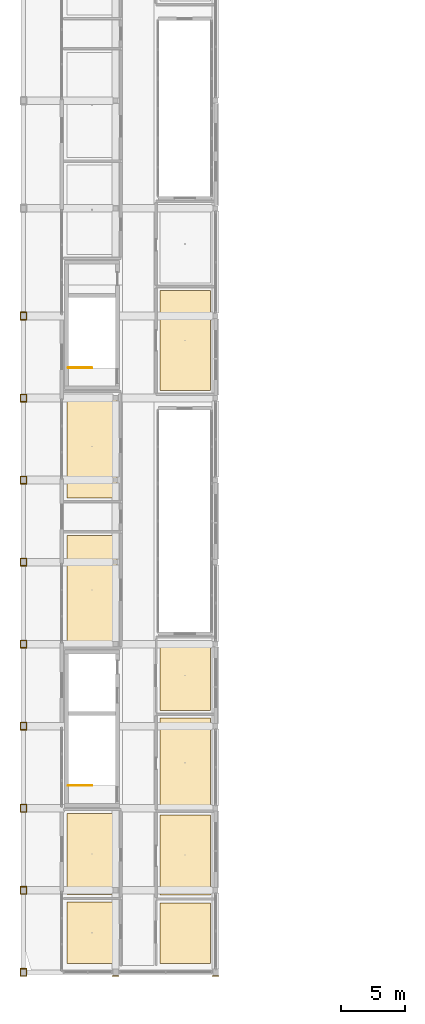
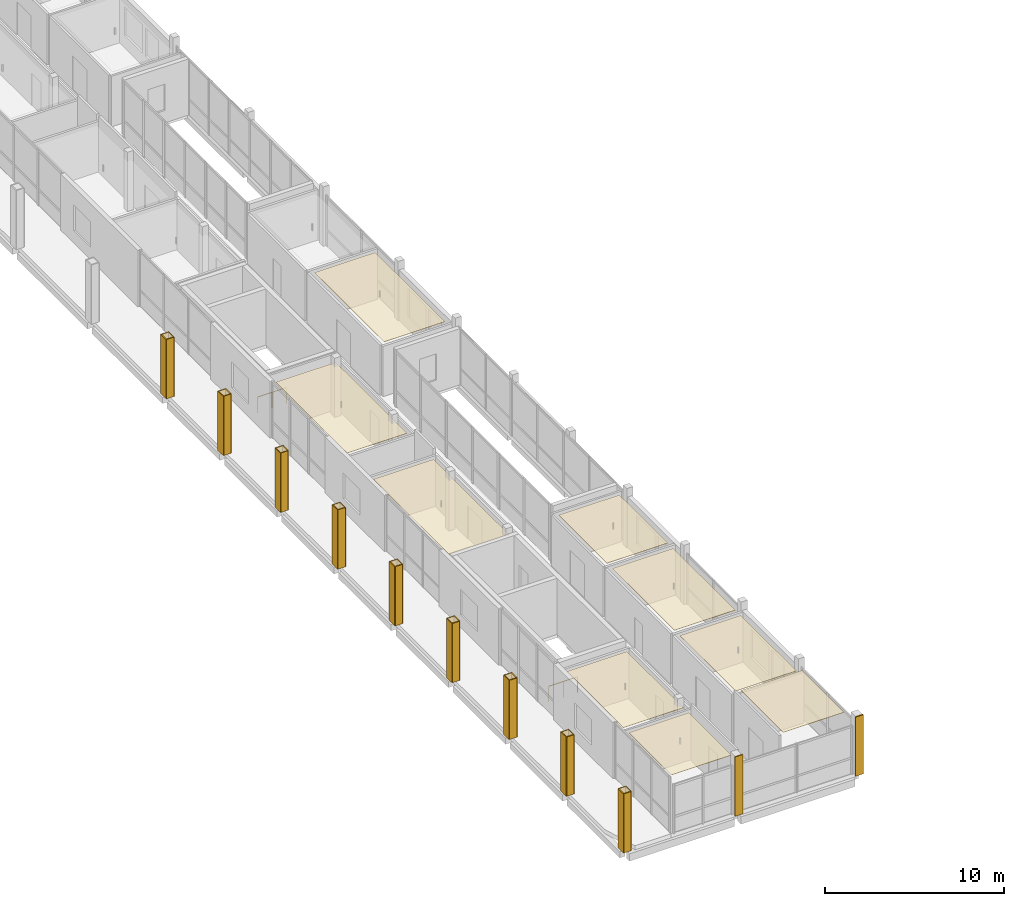
# One storey, part 21 of 24: 47 coverings, 2 railings.
"""IFC4 building model written with IfcOpenShell, lengths in metres."""

import ifcopenshell
import ifcopenshell.guid

model = None  # the IFC model being written
_history = None  # IfcOwnerHistory: only IFC2X3 demands one
_inside = {}  # id of a spatial element -> (the spatial element, [elements in it])
_under = {}  # id of a project, library or spatial element -> (it, [spatial elements below it])
_declared = {}  # id of a project -> (the project, [libraries it declares])
_typed = {}  # id of a type object -> (the type object, [elements of that type])
_made_of = {}  # id of a material, layer set ... -> (it, [elements and type objects made of it])


def new_model(schema):
    """Start an empty IFC model of exactly this schema.

    Asked for "IFC4X3", IfcOpenShell would pick the latest addendum, in which some entities
    have other attributes; the version numbers below select the first issue.
    IFC2X3 requires an IfcOwnerHistory on every rooted entity: one is made here for all.
    """
    global model, _history
    if schema == "IFC4X3":
        model = ifcopenshell.file(schema_version=(4, 3, 0, 0))
    else:
        model = ifcopenshell.file(schema=schema)
    _inside.clear()
    _under.clear()
    _declared.clear()
    _typed.clear()
    _made_of.clear()
    _history = None
    if model.schema == "IFC2X3":
        org = make("IfcOrganization", Name="unknown")
        user = make(
            "IfcPersonAndOrganization",
            ThePerson=make("IfcPerson", FamilyName="unknown"),
            TheOrganization=org,
        )
        app = make(
            "IfcApplication",
            ApplicationDeveloper=org,
            Version="unknown",
            ApplicationFullName="unknown",
            ApplicationIdentifier="unknown",
        )
        _history = make(
            "IfcOwnerHistory",
            OwningUser=user,
            OwningApplication=app,
            ChangeAction="ADDED",
            CreationDate=0,
        )
    return model


def make(cls, **values):
    """One entity of the class cls with the attributes given. An attribute that is None is left unset."""
    return model.create_entity(
        cls, **{name: value for name, value in values.items() if value is not None}
    )


def rooted(cls, **values):
    """An entity with a GlobalId (a new one), such as an element, a storey or a relation."""
    return make(cls, GlobalId=ifcopenshell.guid.new(), OwnerHistory=_history, **values)


def si_unit(unit_type, name, prefix=None):
    """IfcSIUnit, for example si_unit("LENGTHUNIT", "METRE", prefix="MILLI")."""
    return make("IfcSIUnit", UnitType=unit_type, Prefix=prefix, Name=name)


def derived_unit(unit_type, elements):
    """IfcDerivedUnit: a product of units, each with its exponent."""
    return make(
        "IfcDerivedUnit",
        Elements=[
            make("IfcDerivedUnitElement", Unit=unit, Exponent=power)
            for unit, power in elements
        ],
        UnitType=unit_type,
    )


def assignment(units):
    """IfcUnitAssignment: the units of a project."""
    return None if units is None else make("IfcUnitAssignment", Units=units)


def point(xyz):
    """IfcCartesianPoint."""
    return None if xyz is None else make("IfcCartesianPoint", Coordinates=xyz)


def direction(xyz):
    """IfcDirection."""
    return None if xyz is None else make("IfcDirection", DirectionRatios=xyz)


def frame(location, z_axis=None, x_axis=None):
    """IfcAxis2Placement3D, a coordinate frame: its origin and axes. An axis left out is left unset."""
    return make(
        "IfcAxis2Placement3D",
        Location=point(location),
        Axis=direction(z_axis),
        RefDirection=direction(x_axis),
    )


def frame_2d(location, x_axis=None):
    """IfcAxis2Placement2D, a coordinate frame in the plane: its origin and x axis."""
    return make(
        "IfcAxis2Placement2D", Location=point(location), RefDirection=direction(x_axis)
    )


def origin():
    """The frame at (0, 0, 0) with its axes left unset."""
    return frame((0.0, 0.0, 0.0))


def origin_2d():
    """The frame at (0, 0) in the plane with its x axis left unset."""
    return frame_2d((0.0, 0.0))


def place(relative_to, where):
    """IfcLocalPlacement: puts the frame where relative to a parent placement (None: the world)."""
    return make(
        "IfcLocalPlacement", PlacementRelTo=relative_to, RelativePlacement=where
    )


def context(
    kind, dimensions, precision=None, world=None, true_north=None, identifier=None
):
    """IfcGeometricRepresentationContext, for example the 3D "Model" context."""
    return make(
        "IfcGeometricRepresentationContext",
        ContextIdentifier=identifier,
        ContextType=kind,
        CoordinateSpaceDimension=dimensions,
        Precision=precision,
        WorldCoordinateSystem=world,
        TrueNorth=true_north,
    )


def subcontext(parent, identifier, kind, view, scale=None):
    """IfcGeometricRepresentationSubContext, for example "Body" below "Model"."""
    return make(
        "IfcGeometricRepresentationSubContext",
        ContextIdentifier=identifier,
        ContextType=kind,
        ParentContext=parent,
        TargetScale=scale,
        TargetView=view,
    )


def project(units=None, contexts=None):
    """IfcProject with its units and contexts."""
    return rooted(
        "IfcProject",
        Name="project",
        RepresentationContexts=contexts,
        UnitsInContext=assignment(units),
    )


def spatial(cls, under=None, at=None, **own):
    """A site, building, storey or space (cls), placed at a placement, below another one or the project."""
    s = rooted(cls, ObjectPlacement=at, **own)
    if under is not None:
        _under.setdefault(under.id(), (under, []))[1].append(s)
    return s


def polyline(points):
    """IfcPolyline through the points."""
    return make("IfcPolyline", Points=[point(p) for p in points])


def profile(cls, at=None, kind="AREA", **sizes):
    """A parametric profile (cls). Its sizes go by their IFC names, for example OverallWidth=200.0."""
    return make(cls, ProfileType=kind, Position=at, **sizes)


def rectangle(**sizes):
    """IfcRectangleProfileDef."""
    return profile("IfcRectangleProfileDef", **sizes)


def circle(**sizes):
    """IfcCircleProfileDef."""
    return profile("IfcCircleProfileDef", **sizes)


def outline(outer, holes=None, kind="AREA"):
    """IfcArbitraryClosedProfileDef: a profile drawn as a closed curve; with holes, ...WithVoids."""
    if holes is None:
        return make("IfcArbitraryClosedProfileDef", ProfileType=kind, OuterCurve=outer)
    return make(
        "IfcArbitraryProfileDefWithVoids",
        ProfileType=kind,
        OuterCurve=outer,
        InnerCurves=holes,
    )


def extrude(swept, where, along, depth):
    """IfcExtrudedAreaSolid: the profile swept, set in the frame where, extruded along a direction by depth."""
    return make(
        "IfcExtrudedAreaSolid",
        SweptArea=swept,
        Position=where,
        ExtrudedDirection=direction(along),
        Depth=depth,
    )


def shape(context_of_items, identifier, shape_type, items):
    """IfcShapeRepresentation: the items that make up one representation, for example the "Body"."""
    return make(
        "IfcShapeRepresentation",
        ContextOfItems=context_of_items,
        RepresentationIdentifier=identifier,
        RepresentationType=shape_type,
        Items=items,
    )


def material(Name=None, Category=None):
    """IfcMaterial."""
    return make("IfcMaterial", Name=Name, Category=Category)


def layer(
    of_material, thickness, ventilated=None, Name=None, Category=None, Priority=None
):
    """IfcMaterialLayer: one layer of a wall or slab, of a material (None: an air gap)."""
    return make(
        "IfcMaterialLayer",
        Material=of_material,
        LayerThickness=thickness,
        IsVentilated=ventilated,
        Name=Name,
        Category=Category,
        Priority=Priority,
    )


def layer_set(layers, Name=None):
    """IfcMaterialLayerSet."""
    return make("IfcMaterialLayerSet", MaterialLayers=layers, LayerSetName=Name)


def made_of(thing, what):
    """Note that an element or type object is made of a material, layer set ...; save() writes the relation."""
    if what is not None:
        _made_of.setdefault(what.id(), (what, []))[1].append(thing)
    return thing


def type_object(cls, material=None, **own):
    """A type object (cls), such as IfcWallType, which elements share."""
    return made_of(rooted(cls, **own), material)


def element(
    cls,
    number,
    at=None,
    inside=None,
    cuts=None,
    type_object=None,
    material=None,
    context=None,
    identifier="Body",
    shape_type=None,
    held_by="IfcProductDefinitionShape",
    body=None,
    shapes=None,
    **own,
):
    """One element of the class cls, such as IfcWall. Its Tag is "e" and its number.

    at: its placement. inside: the storey or other place that contains it. cuts: it is an
    opening in that element (IfcRelVoidsElement). A single representation is given by context,
    identifier, shape_type and body (its items); several are given by shapes. held_by: the class
    of the entity that holds the representations. save() writes the other relations.
    """
    e = rooted(cls, Tag="e%d" % number, ObjectPlacement=at, **own)
    if body is not None:
        shapes = [shape(context, identifier, shape_type, body)]
    if shapes is not None:
        e.Representation = make(held_by, Representations=shapes)
    if inside is not None:
        _inside.setdefault(inside.id(), (inside, []))[1].append(e)
    if cuts is not None:
        rooted(
            "IfcRelVoidsElement", RelatingBuildingElement=cuts, RelatedOpeningElement=e
        )
    if type_object is not None:
        _typed.setdefault(type_object.id(), (type_object, []))[1].append(e)
    return made_of(e, material)


def aggregate(whole, parts):
    """IfcRelAggregates: a whole, such as a stair, and the parts it consists of."""
    return rooted("IfcRelAggregates", RelatingObject=whole, RelatedObjects=parts)


def save(model, path):
    """Write the relations noted so far, then the file.

    IfcRelAggregates (storeys below a building ...), IfcRelContainedInSpatialStructure (elements
    in a storey), IfcRelDefinesByType, IfcRelAssociatesMaterial and IfcRelDeclares: one each for
    every whole, place, type object, material and project.
    """
    for whole, parts in _under.values():
        aggregate(whole, parts)
    for where, things in _inside.values():
        rooted(
            "IfcRelContainedInSpatialStructure",
            RelatedElements=things,
            RelatingStructure=where,
        )
    for kind, things in _typed.values():
        rooted("IfcRelDefinesByType", RelatedObjects=things, RelatingType=kind)
    for what, things in _made_of.values():
        rooted("IfcRelAssociatesMaterial", RelatedObjects=things, RelatingMaterial=what)
    for by, libraries in _declared.values():
        rooted("IfcRelDeclares", RelatingContext=by, RelatedDefinitions=libraries)
    model.write(path)


model = new_model("IFC4")

# Units and contexts
model_context = context("Model", 3, precision=1e-05, world=origin(), true_north=direction((0.0, 1.0)))
body_context = subcontext(model_context, "Body", "Model", "MODEL_VIEW")
ifc_project = project(units=[si_unit("LENGTHUNIT", "METRE"), si_unit("AREAUNIT", "SQUARE_METRE"), si_unit("VOLUMEUNIT", "CUBIC_METRE"), si_unit("PLANEANGLEUNIT", "RADIAN"), si_unit("MASSUNIT", "GRAM", prefix="KILO"), derived_unit("THERMALTRANSMITTANCEUNIT", [(si_unit("POWERUNIT", "WATT"), 1), (si_unit("LENGTHUNIT", "METRE"), -2), (si_unit("THERMODYNAMICTEMPERATUREUNIT", "KELVIN"), -1)])], contexts=[model_context])

# Site, building, storey
site_placement = place(None, origin())
site = spatial("IfcSite", under=ifc_project, at=site_placement, CompositionType="ELEMENT")
building_placement = place(site_placement, origin())
building = spatial("IfcBuilding", under=site, at=building_placement, Name="Braskholm Square Health Centre", CompositionType="ELEMENT")
storey_placement = place(building_placement, frame((0.0, 0.0, 21.60009765625)))
storey = spatial("IfcBuildingStorey", under=building, at=storey_placement, Name="L06", CompositionType="ELEMENT", Elevation=21.60009765625)

# Coverings
ifc_material_1 = material(Name="Fire-rated gypsum board barrier")
ifc_layer_1 = layer(ifc_material_1, 0.02490234375)
ifc_layer_set_1 = layer_set([ifc_layer_1], Name="Fire-rated gypsum board barrier")
covering_type_1 = type_object("IfcCoveringType", Name="AcousticClinicalCeilingTile", PredefinedType="CEILING", material=ifc_layer_set_1)
covering_1_placement = place(storey_placement, frame((0.0, 0.0, 3.4248046875)))
element("IfcCovering", 1, at=covering_1_placement, inside=storey, type_object=covering_type_1, Name="Acoustic ceiling L06-142", PredefinedType="CEILING", context=body_context, shape_type="SweptSolid", body=[
    extrude(outline(polyline([(7.6201171875, 4.89990234375), (11.5, 4.89990234375), (11.5, 9.669921875), (7.6201171875, 9.669921875), (7.6201171875, 4.89990234375)])), origin(), (0.0, 0.0, 1.0), 0.025146484375),
])
covering_2_placement = place(storey_placement, frame((0.0, 0.0, 3.40478515625)))
element("IfcCovering", 2, at=covering_2_placement, inside=storey, type_object=covering_type_1, Name="Acoustic ceiling L06-143", PredefinedType="CEILING", context=body_context, shape_type="SweptSolid", body=[
    extrude(outline(polyline([(7.6201171875, 10.27001953125), (11.5, 10.27001953125), (11.5, 16.60009765625), (7.6201171875, 16.60009765625), (7.6201171875, 10.27001953125)])), origin(), (0.0, 0.0, 1.0), 0.025146484375),
])
covering_3_placement = place(storey_placement, frame((0.0, 0.0, 3.40478515625)))
element("IfcCovering", 3, at=covering_3_placement, inside=storey, type_object=covering_type_1, Name="Acoustic ceiling L06-144", PredefinedType="CEILING", context=body_context, shape_type="SweptSolid", body=[
    extrude(outline(polyline([(7.6201171875, 29.800048828125), (11.5, 29.800048828125), (11.5, 38.260009765625), (7.6201171875, 38.260009765625), (7.6201171875, 29.800048828125)])), origin(), (0.0, 0.0, 1.0), 0.025146484375),
])
covering_4_placement = place(storey_placement, frame((0.0, 0.0, 3.40478515625)))
element("IfcCovering", 4, at=covering_4_placement, inside=storey, type_object=covering_type_1, Name="Acoustic ceiling L06-146", PredefinedType="CEILING", context=body_context, shape_type="SweptSolid", body=[
    extrude(outline(polyline([(7.6201171875, 41.2099609375), (11.5, 41.2099609375), (11.5, 49.199951171875), (7.6201171875, 49.199951171875), (7.6201171875, 41.2099609375)])), origin(), (0.0, 0.0, 1.0), 0.025146484375),
])
covering_5_placement = place(storey_placement, frame((0.0, 0.0, 3.804931640625)))
element("IfcCovering", 5, at=covering_5_placement, inside=storey, type_object=covering_type_1, Name="Acoustic ceiling L06-153", PredefinedType="CEILING", context=body_context, shape_type="SweptSolid", body=[
    extrude(outline(polyline([(14.85009765625, 4.89990234375), (18.780029296875, 4.89990234375), (18.780029296875, 9.6201171875), (14.85009765625, 9.6201171875), (14.85009765625, 4.89990234375)])), origin(), (0.0, 0.0, 1.0), 0.02490234375),
])
covering_6_placement = place(storey_placement, frame((0.0, 0.0, 3.40478515625)))
element("IfcCovering", 6, at=covering_6_placement, inside=storey, type_object=covering_type_1, Name="Acoustic ceiling L06-154", PredefinedType="CEILING", context=body_context, shape_type="SweptSolid", body=[
    extrude(outline(polyline([(14.85009765625, 10.219970703125), (18.780029296875, 10.219970703125), (18.780029296875, 16.469970703125), (14.85009765625, 16.469970703125), (14.85009765625, 10.219970703125)])), origin(), (0.0, 0.0, 1.0), 0.025146484375),
])
covering_7_placement = place(storey_placement, frame((0.0, 0.0, 3.40478515625)))
element("IfcCovering", 7, at=covering_7_placement, inside=storey, type_object=covering_type_1, Name="Acoustic ceiling L06-155", PredefinedType="CEILING", context=body_context, shape_type="SweptSolid", body=[
    extrude(outline(polyline([(14.85009765625, 17.070068359375), (18.780029296875, 17.070068359375), (18.780029296875, 24.030029296875), (14.85009765625, 24.030029296875), (14.85009765625, 17.070068359375)])), origin(), (0.0, 0.0, 1.0), 0.025146484375),
])
covering_8_placement = place(storey_placement, frame((0.0, 0.0, 3.40478515625)))
element("IfcCovering", 8, at=covering_8_placement, inside=storey, type_object=covering_type_1, Name="Acoustic ceiling L06-156", PredefinedType="CEILING", context=body_context, shape_type="SweptSolid", body=[
    extrude(outline(polyline([(14.85009765625, 24.6298828125), (18.780029296875, 24.6298828125), (18.780029296875, 30.050048828125), (14.85009765625, 30.050048828125), (14.85009765625, 24.6298828125)])), origin(), (0.0, 0.0, 1.0), 0.025146484375),
])
covering_9_placement = place(storey_placement, frame((0.0, 0.0, 3.40478515625)))
element("IfcCovering", 9, at=covering_9_placement, inside=storey, type_object=covering_type_1, Name="Acoustic ceiling L06-157", PredefinedType="CEILING", context=body_context, shape_type="SweptSolid", body=[
    extrude(outline(polyline([(14.85009765625, 49.580078125), (18.780029296875, 49.580078125), (18.780029296875, 57.3798828125), (14.85009765625, 57.3798828125), (14.85009765625, 49.580078125)])), origin(), (0.0, 0.0, 1.0), 0.025146484375),
])

# Railings
ifc_material_2 = material(Name="Dark patinated chevron architectural bronze", Category="aluminium")
railing_type = type_object("IfcRailingType", Name="BronzeChevronGuardrail1100", PredefinedType="GUARDRAIL", material=ifc_material_2)
for number, where, name in (
    (10, (7.699951171875, 18.760009765625, 0.0), "Stair ST-01 top well guardrail L06"),
    (11, (7.699951171875, 51.360107421875, 0.0), "Stair ST-02 top well guardrail L06"),
):
    element("IfcRailing", number, at=place(storey_placement, frame(where)), inside=storey, type_object=railing_type, Name=name, PredefinedType="GUARDRAIL", context=body_context, shape_type="SweptSolid", body=[
        extrude(circle(Radius=0.02392578125, at=origin_2d()), frame((0.0, 0.0, 1.076171875), z_axis=(1.0, 0.0, 0.0), x_axis=(0.0, 1.0, 0.0)), (0.0, 0.0, 1.0), 1.85009765625),
        extrude(circle(Radius=0.02099609375, at=origin_2d()), origin(), (0.0, 0.0, 1.0), 1.052001953125),
        extrude(circle(Radius=0.02099609375, at=origin_2d()), frame((0.925048828125, 0.0, 0.0)), (0.0, 0.0, 1.0), 1.052001953125),
        extrude(circle(Radius=0.02099609375, at=origin_2d()), frame((1.85009765625, 0.0, 0.0)), (0.0, 0.0, 1.0), 1.052001953125),
    ])

# Coverings
ifc_material_3 = material(Name="Precast concrete C40/50 architectural white", Category="concrete")
ifc_layer_2 = layer(ifc_material_3, 0.054931640625)
ifc_layer_set_2 = layer_set([ifc_layer_2], Name="Precast concrete C40/50 architectural white")
covering_type_2 = type_object("IfcCoveringType", Name="PrecastWhiteColumnCasing", PredefinedType="CLADDING", material=ifc_layer_set_2)
for number, where, z_axis, x_axis, name in (
    (12, (3.965087890625, 4.199951171875, 0.0), (0.0, 0.0, 1.0), (1.0, 0.0, 0.0), "Giant-order white precast column casing 0006"),
    (13, (4.43505859375, 4.199951171875, 0.0), (0.0, 0.0, 1.0), (1.0, 0.0, 0.0), "Giant-order white precast column casing 0007"),
):
    element("IfcCovering", number, at=place(storey_placement, frame(where, z_axis=z_axis, x_axis=x_axis)), inside=storey, type_object=covering_type_2, Name=name, PredefinedType="CLADDING", context=body_context, shape_type="SweptSolid", body=[
        extrude(rectangle(XDim=0.06005859375, YDim=0.6201171875, at=origin_2d()), origin(), (0.0, 0.0, 1.0), 4.050048828125),
    ])
for number, where, z_axis, x_axis, name in (
    (14, (4.199951171875, 3.9150390625, 0.0), (0.0, 0.0, 1.0), (1.0, 0.0, 0.0), "Giant-order white precast column casing 0008"),
    (15, (4.199951171875, 4.485107421875, 0.0), (0.0, 0.0, 1.0), (1.0, 0.0, 0.0), "Giant-order white precast column casing 0009"),
):
    element("IfcCovering", number, at=place(storey_placement, frame(where, z_axis=z_axis, x_axis=x_axis)), inside=storey, type_object=covering_type_2, Name=name, PredefinedType="CLADDING", context=body_context, shape_type="SweptSolid", body=[
        extrude(rectangle(XDim=0.4599609375, YDim=0.06005859375, at=origin_2d()), origin(), (0.0, 0.0, 1.0), 4.050048828125),
    ])
for number, where, z_axis, x_axis, name in (
    (16, (3.965087890625, 10.60009765625, 0.0), (0.0, 0.0, 1.0), (1.0, 0.0, 0.0), "Giant-order white precast column casing 0015"),
    (17, (4.43505859375, 10.60009765625, 0.0), (0.0, 0.0, 1.0), (1.0, 0.0, 0.0), "Giant-order white precast column casing 0016"),
):
    element("IfcCovering", number, at=place(storey_placement, frame(where, z_axis=z_axis, x_axis=x_axis)), inside=storey, type_object=covering_type_2, Name=name, PredefinedType="CLADDING", context=body_context, shape_type="SweptSolid", body=[
        extrude(rectangle(XDim=0.06005859375, YDim=0.6201171875, at=origin_2d()), origin(), (0.0, 0.0, 1.0), 4.050048828125),
    ])
for number, where, z_axis, x_axis, name in (
    (18, (4.199951171875, 10.31494140625, 0.0), (0.0, 0.0, 1.0), (1.0, 0.0, 0.0), "Giant-order white precast column casing 0017"),
    (19, (4.199951171875, 10.885009765625, 0.0), (0.0, 0.0, 1.0), (1.0, 0.0, 0.0), "Giant-order white precast column casing 0018"),
):
    element("IfcCovering", number, at=place(storey_placement, frame(where, z_axis=z_axis, x_axis=x_axis)), inside=storey, type_object=covering_type_2, Name=name, PredefinedType="CLADDING", context=body_context, shape_type="SweptSolid", body=[
        extrude(rectangle(XDim=0.4599609375, YDim=0.06005859375, at=origin_2d()), origin(), (0.0, 0.0, 1.0), 4.050048828125),
    ])
for number, where, z_axis, x_axis, name in (
    (20, (3.965087890625, 17.0, 0.0), (0.0, 0.0, 1.0), (1.0, 0.0, 0.0), "Giant-order white precast column casing 0024"),
    (21, (4.43505859375, 17.0, 0.0), (0.0, 0.0, 1.0), (1.0, 0.0, 0.0), "Giant-order white precast column casing 0025"),
):
    element("IfcCovering", number, at=place(storey_placement, frame(where, z_axis=z_axis, x_axis=x_axis)), inside=storey, type_object=covering_type_2, Name=name, PredefinedType="CLADDING", context=body_context, shape_type="SweptSolid", body=[
        extrude(rectangle(XDim=0.06005859375, YDim=0.6201171875, at=origin_2d()), origin(), (0.0, 0.0, 1.0), 4.050048828125),
    ])
for number, where, z_axis, x_axis, name in (
    (22, (4.199951171875, 16.715087890625, 0.0), (0.0, 0.0, 1.0), (1.0, 0.0, 0.0), "Giant-order white precast column casing 0026"),
    (23, (4.199951171875, 17.284912109375, 0.0), (0.0, 0.0, 1.0), (1.0, 0.0, 0.0), "Giant-order white precast column casing 0027"),
):
    element("IfcCovering", number, at=place(storey_placement, frame(where, z_axis=z_axis, x_axis=x_axis)), inside=storey, type_object=covering_type_2, Name=name, PredefinedType="CLADDING", context=body_context, shape_type="SweptSolid", body=[
        extrude(rectangle(XDim=0.4599609375, YDim=0.06005859375, at=origin_2d()), origin(), (0.0, 0.0, 1.0), 4.050048828125),
    ])
for number, where, z_axis, x_axis, name in (
    (24, (3.965087890625, 23.39990234375, 0.0), (0.0, 0.0, 1.0), (1.0, 0.0, 0.0), "Giant-order white precast column casing 0033"),
    (25, (4.43505859375, 23.39990234375, 0.0), (0.0, 0.0, 1.0), (1.0, 0.0, 0.0), "Giant-order white precast column casing 0034"),
):
    element("IfcCovering", number, at=place(storey_placement, frame(where, z_axis=z_axis, x_axis=x_axis)), inside=storey, type_object=covering_type_2, Name=name, PredefinedType="CLADDING", context=body_context, shape_type="SweptSolid", body=[
        extrude(rectangle(XDim=0.06005859375, YDim=0.6201171875, at=origin_2d()), origin(), (0.0, 0.0, 1.0), 4.050048828125),
    ])
for number, where, z_axis, x_axis, name in (
    (26, (4.199951171875, 23.114990234375, 0.0), (0.0, 0.0, 1.0), (1.0, 0.0, 0.0), "Giant-order white precast column casing 0035"),
    (27, (4.199951171875, 23.68505859375, 0.0), (0.0, 0.0, 1.0), (1.0, 0.0, 0.0), "Giant-order white precast column casing 0036"),
):
    element("IfcCovering", number, at=place(storey_placement, frame(where, z_axis=z_axis, x_axis=x_axis)), inside=storey, type_object=covering_type_2, Name=name, PredefinedType="CLADDING", context=body_context, shape_type="SweptSolid", body=[
        extrude(rectangle(XDim=0.4599609375, YDim=0.06005859375, at=origin_2d()), origin(), (0.0, 0.0, 1.0), 4.050048828125),
    ])
for number, where, z_axis, x_axis, name in (
    (28, (3.965087890625, 29.800048828125, 0.0), (0.0, 0.0, 1.0), (1.0, 0.0, 0.0), "Giant-order white precast column casing 0042"),
    (29, (4.43505859375, 29.800048828125, 0.0), (0.0, 0.0, 1.0), (1.0, 0.0, 0.0), "Giant-order white precast column casing 0043"),
):
    element("IfcCovering", number, at=place(storey_placement, frame(where, z_axis=z_axis, x_axis=x_axis)), inside=storey, type_object=covering_type_2, Name=name, PredefinedType="CLADDING", context=body_context, shape_type="SweptSolid", body=[
        extrude(rectangle(XDim=0.06005859375, YDim=0.6201171875, at=origin_2d()), origin(), (0.0, 0.0, 1.0), 4.050048828125),
    ])
for number, where, z_axis, x_axis, name in (
    (30, (4.199951171875, 29.514892578125, 0.0), (0.0, 0.0, 1.0), (1.0, 0.0, 0.0), "Giant-order white precast column casing 0044"),
    (31, (4.199951171875, 30.0849609375, 0.0), (0.0, 0.0, 1.0), (1.0, 0.0, 0.0), "Giant-order white precast column casing 0045"),
):
    element("IfcCovering", number, at=place(storey_placement, frame(where, z_axis=z_axis, x_axis=x_axis)), inside=storey, type_object=covering_type_2, Name=name, PredefinedType="CLADDING", context=body_context, shape_type="SweptSolid", body=[
        extrude(rectangle(XDim=0.4599609375, YDim=0.06005859375, at=origin_2d()), origin(), (0.0, 0.0, 1.0), 4.050048828125),
    ])
for number, where, z_axis, x_axis, name in (
    (32, (3.965087890625, 36.199951171875, 0.0), (0.0, 0.0, 1.0), (1.0, 0.0, 0.0), "Giant-order white precast column casing 0051"),
    (33, (4.43505859375, 36.199951171875, 0.0), (0.0, 0.0, 1.0), (1.0, 0.0, 0.0), "Giant-order white precast column casing 0052"),
):
    element("IfcCovering", number, at=place(storey_placement, frame(where, z_axis=z_axis, x_axis=x_axis)), inside=storey, type_object=covering_type_2, Name=name, PredefinedType="CLADDING", context=body_context, shape_type="SweptSolid", body=[
        extrude(rectangle(XDim=0.06005859375, YDim=0.6201171875, at=origin_2d()), origin(), (0.0, 0.0, 1.0), 4.050048828125),
    ])
for number, where, z_axis, x_axis, name in (
    (34, (4.199951171875, 35.9150390625, 0.0), (0.0, 0.0, 1.0), (1.0, 0.0, 0.0), "Giant-order white precast column casing 0053"),
    (35, (4.199951171875, 36.485107421875, 0.0), (0.0, 0.0, 1.0), (1.0, 0.0, 0.0), "Giant-order white precast column casing 0054"),
):
    element("IfcCovering", number, at=place(storey_placement, frame(where, z_axis=z_axis, x_axis=x_axis)), inside=storey, type_object=covering_type_2, Name=name, PredefinedType="CLADDING", context=body_context, shape_type="SweptSolid", body=[
        extrude(rectangle(XDim=0.4599609375, YDim=0.06005859375, at=origin_2d()), origin(), (0.0, 0.0, 1.0), 4.050048828125),
    ])
for number, where, z_axis, x_axis, name in (
    (36, (3.965087890625, 42.60009765625, 0.0), (0.0, 0.0, 1.0), (1.0, 0.0, 0.0), "Giant-order white precast column casing 0060"),
    (37, (4.43505859375, 42.60009765625, 0.0), (0.0, 0.0, 1.0), (1.0, 0.0, 0.0), "Giant-order white precast column casing 0061"),
):
    element("IfcCovering", number, at=place(storey_placement, frame(where, z_axis=z_axis, x_axis=x_axis)), inside=storey, type_object=covering_type_2, Name=name, PredefinedType="CLADDING", context=body_context, shape_type="SweptSolid", body=[
        extrude(rectangle(XDim=0.06005859375, YDim=0.6201171875, at=origin_2d()), origin(), (0.0, 0.0, 1.0), 4.050048828125),
    ])
for number, where, z_axis, x_axis, name in (
    (38, (4.199951171875, 42.31494140625, 0.0), (0.0, 0.0, 1.0), (1.0, 0.0, 0.0), "Giant-order white precast column casing 0062"),
    (39, (4.199951171875, 42.885009765625, 0.0), (0.0, 0.0, 1.0), (1.0, 0.0, 0.0), "Giant-order white precast column casing 0063"),
):
    element("IfcCovering", number, at=place(storey_placement, frame(where, z_axis=z_axis, x_axis=x_axis)), inside=storey, type_object=covering_type_2, Name=name, PredefinedType="CLADDING", context=body_context, shape_type="SweptSolid", body=[
        extrude(rectangle(XDim=0.4599609375, YDim=0.06005859375, at=origin_2d()), origin(), (0.0, 0.0, 1.0), 4.050048828125),
    ])
for number, where, z_axis, x_axis, name in (
    (40, (3.965087890625, 49.0, 0.0), (0.0, 0.0, 1.0), (1.0, 0.0, 0.0), "Giant-order white precast column casing 0069"),
    (41, (4.43505859375, 49.0, 0.0), (0.0, 0.0, 1.0), (1.0, 0.0, 0.0), "Giant-order white precast column casing 0070"),
):
    element("IfcCovering", number, at=place(storey_placement, frame(where, z_axis=z_axis, x_axis=x_axis)), inside=storey, type_object=covering_type_2, Name=name, PredefinedType="CLADDING", context=body_context, shape_type="SweptSolid", body=[
        extrude(rectangle(XDim=0.06005859375, YDim=0.6201171875, at=origin_2d()), origin(), (0.0, 0.0, 1.0), 4.050048828125),
    ])
for number, where, z_axis, x_axis, name in (
    (42, (4.199951171875, 48.715087890625, 0.0), (0.0, 0.0, 1.0), (1.0, 0.0, 0.0), "Giant-order white precast column casing 0071"),
    (43, (4.199951171875, 49.284912109375, 0.0), (0.0, 0.0, 1.0), (1.0, 0.0, 0.0), "Giant-order white precast column casing 0072"),
):
    element("IfcCovering", number, at=place(storey_placement, frame(where, z_axis=z_axis, x_axis=x_axis)), inside=storey, type_object=covering_type_2, Name=name, PredefinedType="CLADDING", context=body_context, shape_type="SweptSolid", body=[
        extrude(rectangle(XDim=0.4599609375, YDim=0.06005859375, at=origin_2d()), origin(), (0.0, 0.0, 1.0), 4.050048828125),
    ])
for number, where, z_axis, x_axis, name in (
    (44, (3.965087890625, 55.39990234375, 0.0), (0.0, 0.0, 1.0), (1.0, 0.0, 0.0), "Giant-order white precast column casing 0078"),
    (45, (4.43505859375, 55.39990234375, 0.0), (0.0, 0.0, 1.0), (1.0, 0.0, 0.0), "Giant-order white precast column casing 0079"),
):
    element("IfcCovering", number, at=place(storey_placement, frame(where, z_axis=z_axis, x_axis=x_axis)), inside=storey, type_object=covering_type_2, Name=name, PredefinedType="CLADDING", context=body_context, shape_type="SweptSolid", body=[
        extrude(rectangle(XDim=0.06005859375, YDim=0.6201171875, at=origin_2d()), origin(), (0.0, 0.0, 1.0), 4.050048828125),
    ])
for number, where, z_axis, x_axis, name in (
    (46, (4.199951171875, 55.114990234375, 0.0), (0.0, 0.0, 1.0), (1.0, 0.0, 0.0), "Giant-order white precast column casing 0080"),
    (47, (4.199951171875, 55.68505859375, 0.0), (0.0, 0.0, 1.0), (1.0, 0.0, 0.0), "Giant-order white precast column casing 0081"),
):
    element("IfcCovering", number, at=place(storey_placement, frame(where, z_axis=z_axis, x_axis=x_axis)), inside=storey, type_object=covering_type_2, Name=name, PredefinedType="CLADDING", context=body_context, shape_type="SweptSolid", body=[
        extrude(rectangle(XDim=0.4599609375, YDim=0.06005859375, at=origin_2d()), origin(), (0.0, 0.0, 1.0), 4.050048828125),
    ])
for number, where, z_axis, x_axis, name in (
    (48, (11.39990234375, 3.9150390625, 0.0), (0.0, 0.0, 1.0), (1.0, 0.0, 0.0), "Giant-order white precast column casing 0159"),
    (49, (19.199951171875, 3.9150390625, 0.0), (0.0, 0.0, 1.0), (1.0, 0.0, 0.0), "Giant-order white precast column casing 0171"),
):
    element("IfcCovering", number, at=place(storey_placement, frame(where, z_axis=z_axis, x_axis=x_axis)), inside=storey, type_object=covering_type_2, Name=name, PredefinedType="CLADDING", context=body_context, shape_type="SweptSolid", body=[
        extrude(rectangle(XDim=0.5, YDim=0.06005859375, at=origin_2d()), origin(), (0.0, 0.0, 1.0), 4.050048828125),
    ])

save(model, "model.ifc")
